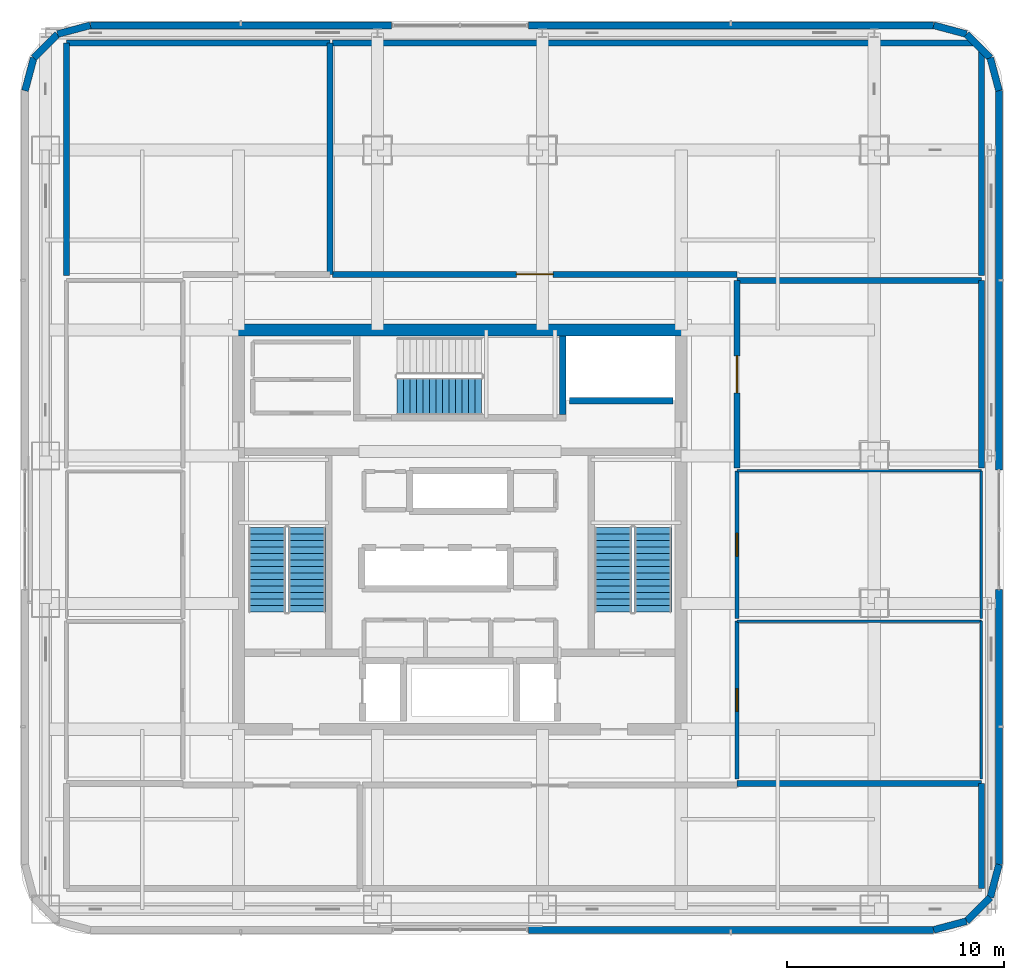
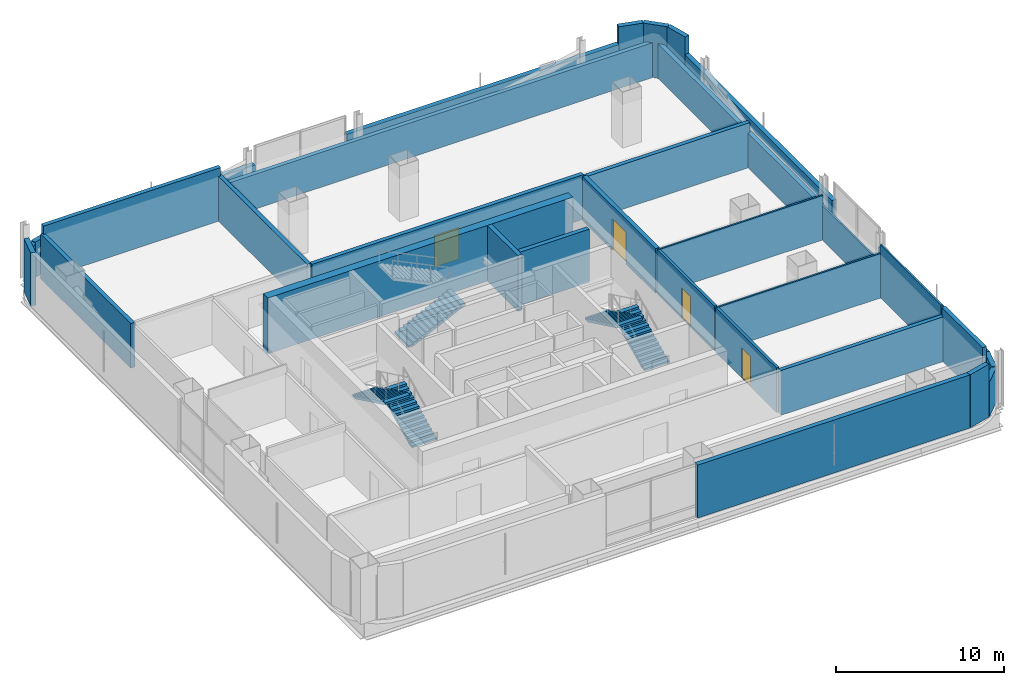
# One storey, part 18 of 30: 34 walls, 5 stair flights, 4 doors, 4 openings, 3 elements without a shape of their own.
"""IFC4 building model written with IfcOpenShell, lengths in metres."""

from ifc_helpers import new_model, si_unit, direction, frame, frame_2d, origin, place, context, subcontext, project, spatial, polyline, rectangle, outline, extrude, material, layer, layer_set, type_object, element, fill, aggregate, save


model = new_model("IFC4")

# Units and contexts
model_context = context("Model", 3, precision=1e-05, world=origin(), true_north=direction((0.0, 1.0)))
body_context = subcontext(model_context, "Body", "Model", "MODEL_VIEW")
ifc_project = project(units=[si_unit("LENGTHUNIT", "METRE"), si_unit("AREAUNIT", "SQUARE_METRE"), si_unit("VOLUMEUNIT", "CUBIC_METRE"), si_unit("PLANEANGLEUNIT", "RADIAN"), si_unit("MASSUNIT", "GRAM", prefix="KILO")], contexts=[model_context])

# Site, building, storey
site_placement = place(None, origin())
site = spatial("IfcSite", under=ifc_project, at=site_placement, CompositionType="ELEMENT")
building_placement = place(site_placement, origin())
building = spatial("IfcBuilding", under=site, at=building_placement, Name="Punatoya Terracotta Tower", CompositionType="ELEMENT")
storey_placement = place(building_placement, frame((0.0, 0.0, 251.39990234375)))
storey = spatial("IfcBuildingStorey", under=building, at=storey_placement, Name="L59", CompositionType="ELEMENT", Elevation=251.39990234375)

# Walls
ifc_material_1 = material(Name="Concrete C40/50", Category="concrete")
ifc_layer_1 = layer(ifc_material_1, 0.280029296875)
ifc_layer_set_1 = layer_set([ifc_layer_1], Name="Concrete C40/50")
wall_type_1 = type_object("IfcWallType", Name="WL-AUD-280", PredefinedType="SOLIDWALL", material=ifc_layer_set_1)
wall_1_placement = place(storey_placement, frame((12.77001953125, -11.7099609375, 0.0), z_axis=(0.0, 0.0, 1.0), x_axis=(1.0, 0.0, 0.0)))
element("IfcWall", 1, at=wall_1_placement, inside=storey, type_object=wall_type_1, Name="L59 Executive Bistro Lounge Partition 28", PredefinedType="SOLIDWALL", context=body_context, shape_type="SweptSolid", body=[
    extrude(rectangle(XDim=11.27001953125, YDim=0.280029296875, at=frame_2d((5.635009765625, 0.0))), origin(), (0.0, 0.0, 1.0), 3.244140625),
])
wall_2_placement = place(storey_placement, frame((24.0400390625, -11.7099609375, 0.0), z_axis=(0.0, 0.0, 1.0), x_axis=(0.0, -1.0, 0.0)))
element("IfcWall", 2, at=wall_2_placement, inside=storey, type_object=wall_type_1, Name="L59 Executive Bistro Lounge Partition 29", PredefinedType="SOLIDWALL", context=body_context, shape_type="SweptSolid", body=[
    extrude(rectangle(XDim=4.830078125, YDim=0.280029296875, at=frame_2d((2.4150390625, 0.0))), origin(), (0.0, 0.0, 1.0), 3.85009765625),
])

# Wall, opening, door
wall_3_placement = place(storey_placement, frame((12.77001953125, 2.83203125, 0.0), z_axis=(0.0, 0.0, 1.0), x_axis=(0.0, 1.0, 0.0)))
wall_3 = element("IfcWall", 3, at=wall_3_placement, inside=storey, type_object=wall_type_1, Name="L59 Open-Plan Waterfront Club Lounge Partition 46", PredefinedType="SOLIDWALL", context=body_context, shape_type="SweptSolid", body=[
    extrude(rectangle(XDim=8.657958984375, YDim=0.280029296875, at=frame_2d((4.3291015625, 0.0))), origin(), (0.0, 0.0, 1.0), 3.244140625),
])
opening_1_placement = place(wall_3_placement, frame((3.47900390625, 0.0, 0.0)))
opening_1 = element("IfcOpeningElement", 4, at=opening_1_placement, cuts=wall_3, Name="Opening FD-D1", PredefinedType="OPENING", context=body_context, shape_type="SweptSolid", body=[
    extrude(rectangle(XDim=1.699951171875, YDim=2.300048828125, at=frame_2d((0.85009765625, 1.14990234375))), frame((0.0, 0.14990234375, 0.0), z_axis=(0.0, -1.0, 0.0), x_axis=(1.0, 0.0, 0.0)), (0.0, 0.0, 1.0), 0.300048828125),
])
ifc_material_2 = material(Name="Timber Teak Veneer Fire Leaf", Category="wood")
door_type_1 = type_object("IfcDoorType", Name="DR-DIN-1700", OperationType="NOTDEFINED", PredefinedType="DOOR", material=ifc_material_2)
door_1_placement = place(opening_1_placement, origin())
door_1 = element("IfcDoor", 5, at=door_1_placement, inside=storey, type_object=door_type_1, Name="L59 Open-Plan Waterfront Club Lounge Fire Door", OperationType="DOUBLE_DOOR_SINGLE_SWING", OverallHeight=2.300048828125, OverallWidth=1.699951171875, PredefinedType="DOOR", context=body_context, shape_type="SweptSolid", body=[
    extrude(rectangle(XDim=1.699951171875, YDim=2.300048828125, at=frame_2d((0.85009765625, 1.14990234375))), frame((0.0, 0.02490234375, 0.0), z_axis=(0.0, -1.0, 0.0), x_axis=(1.0, 0.0, 0.0)), (0.0, 0.0, 1.0), 0.050048828125),
])
fill(opening_1, door_1)

# Walls
wall_4_placement = place(storey_placement, frame((12.77001953125, 11.489990234375, 0.0), z_axis=(0.0, 0.0, 1.0), x_axis=(1.0, 0.0, 0.0)))
element("IfcWall", 6, at=wall_4_placement, inside=storey, type_object=wall_type_1, Name="L59 Open-Plan Waterfront Club Lounge Partition 47", PredefinedType="SOLIDWALL", context=body_context, shape_type="SweptSolid", body=[
    extrude(rectangle(XDim=11.27001953125, YDim=0.280029296875, at=frame_2d((5.635009765625, 0.0))), origin(), (0.0, 0.0, 1.0), 3.244140625),
])
wall_5_placement = place(storey_placement, frame((24.0400390625, 11.489990234375, 0.0), z_axis=(0.0, 0.0, 1.0), x_axis=(0.0, -1.0, 0.0)))
element("IfcWall", 7, at=wall_5_placement, inside=storey, type_object=wall_type_1, Name="L59 Open-Plan Waterfront Club Lounge Partition 48", PredefinedType="SOLIDWALL", context=body_context, shape_type="SweptSolid", body=[
    extrude(rectangle(XDim=8.657958984375, YDim=0.280029296875, at=frame_2d((4.3291015625, 0.0))), origin(), (0.0, 0.0, 1.0), 2.524169921875),
])
wall_6_placement = place(storey_placement, frame((-18.139892578125, 22.43994140625, 0.0), z_axis=(0.0, 0.0, 1.0), x_axis=(1.0, 0.0, 0.0)))
element("IfcWall", 8, at=wall_6_placement, inside=storey, type_object=wall_type_1, Name="L59 Terrace Refreshment Lounge Partition 49", PredefinedType="SOLIDWALL", context=body_context, shape_type="SweptSolid", body=[
    extrude(rectangle(XDim=12.14599609375, YDim=0.280029296875, at=frame_2d((6.072998046875, 0.0))), origin(), (0.0, 0.0, 1.0), 3.85009765625),
])
wall_7_placement = place(storey_placement, frame((-5.993896484375, 22.43994140625, 0.0), z_axis=(0.0, 0.0, 1.0), x_axis=(0.0, -1.0, 0.0)))
element("IfcWall", 9, at=wall_7_placement, inside=storey, type_object=wall_type_1, Name="L59 Terrace Refreshment Lounge Partition 50", PredefinedType="SOLIDWALL", context=body_context, shape_type="SweptSolid", body=[
    extrude(rectangle(XDim=10.669921875, YDim=0.280029296875, at=frame_2d((5.3349609375, 0.0))), origin(), (0.0, 0.0, 1.0), 3.244140625),
])
wall_8_placement = place(storey_placement, frame((-18.139892578125, 11.7099609375, 0.0), z_axis=(0.0, 0.0, 1.0), x_axis=(0.0, 1.0, 0.0)))
element("IfcWall", 10, at=wall_8_placement, inside=storey, type_object=wall_type_1, Name="L59 Terrace Refreshment Lounge Partition 52", PredefinedType="SOLIDWALL", context=body_context, shape_type="SweptSolid", body=[
    extrude(rectangle(XDim=10.72998046875, YDim=0.280029296875, at=frame_2d((5.364990234375, 0.0))), origin(), (0.0, 0.0, 1.0), 3.244140625),
])

# Wall, opening, door
wall_9_placement = place(storey_placement, frame((12.77001953125, 11.77001953125, 0.0), z_axis=(0.0, 0.0, 1.0), x_axis=(-1.0, 0.0, 0.0)))
wall_9 = element("IfcWall", 11, at=wall_9_placement, inside=storey, type_object=wall_type_1, Name="L59 Hospitality Hosting Lounge Partition 53", PredefinedType="SOLIDWALL", context=body_context, shape_type="SweptSolid", body=[
    extrude(rectangle(XDim=18.64404296875, YDim=0.280029296875, at=frame_2d((9.322021484375, 0.0))), origin(), (0.0, 0.0, 1.0), 3.244140625),
])
opening_2_placement = place(wall_9_placement, frame((8.471923828125, 0.0, 0.0)))
opening_2 = element("IfcOpeningElement", 12, at=opening_2_placement, cuts=wall_9, Name="Opening FD-D1", PredefinedType="OPENING", context=body_context, shape_type="SweptSolid", body=[
    extrude(rectangle(XDim=1.699951171875, YDim=2.300048828125, at=frame_2d((0.85009765625, 1.14990234375))), frame((0.0, 0.14990234375, 0.0), z_axis=(0.0, -1.0, 0.0), x_axis=(1.0, 0.0, 0.0)), (0.0, 0.0, 1.0), 0.300048828125),
])
door_2_placement = place(opening_2_placement, origin())
door_2 = element("IfcDoor", 13, at=door_2_placement, inside=storey, type_object=door_type_1, Name="L59 Hospitality Hosting Lounge Fire Door", OperationType="DOUBLE_DOOR_SINGLE_SWING", OverallHeight=2.300048828125, OverallWidth=1.699951171875, PredefinedType="DOOR", context=body_context, shape_type="SweptSolid", body=[
    extrude(rectangle(XDim=1.699951171875, YDim=2.300048828125, at=frame_2d((0.85009765625, 1.14990234375))), frame((0.0, 0.02490234375, 0.0), z_axis=(0.0, -1.0, 0.0), x_axis=(1.0, 0.0, 0.0)), (0.0, 0.0, 1.0), 0.050048828125),
])
fill(opening_2, door_2)

# Walls
wall_10_placement = place(storey_placement, frame((-5.8740234375, 22.43994140625, 0.0), z_axis=(0.0, 0.0, 1.0), x_axis=(1.0, 0.0, 0.0)))
element("IfcWall", 14, at=wall_10_placement, inside=storey, type_object=wall_type_1, Name="L59 Hospitality Hosting Lounge Partition 54", PredefinedType="SOLIDWALL", context=body_context, shape_type="SweptSolid", body=[
    extrude(rectangle(XDim=29.62158203125, YDim=0.280029296875, at=frame_2d((14.810791015625, 0.0))), origin(), (0.0, 0.0, 1.0), 2.524169921875),
])
wall_11_placement = place(storey_placement, frame((24.0400390625, 22.1474609375, 0.0), z_axis=(0.0, 0.0, 1.0), x_axis=(0.0, -1.0, 0.0)))
element("IfcWall", 15, at=wall_11_placement, inside=storey, type_object=wall_type_1, Name="L59 Hospitality Hosting Lounge Partition 55", PredefinedType="SOLIDWALL", context=body_context, shape_type="SweptSolid", body=[
    extrude(rectangle(XDim=10.4375, YDim=0.280029296875, at=frame_2d((5.21875, 0.0))), origin(), (0.0, 0.0, 1.0), 2.524169921875),
])
ifc_material_3 = material(Name="Concrete C50/60", Category="concrete")
ifc_layer_2 = layer(ifc_material_3, 0.550048828125)
ifc_layer_set_2 = layer_set([ifc_layer_2], Name="Concrete C50/60")
wall_type_2 = type_object("IfcWallType", Name="WL-COR-550", PredefinedType="SHEAR", material=ifc_layer_set_2)
wall_12_placement = place(storey_placement, frame((-10.47509765625, 9.199951171875, 0.0), z_axis=(0.0, 0.0, 1.0), x_axis=(1.0, 0.0, 0.0)))
element("IfcWall", 16, at=wall_12_placement, inside=storey, type_object=wall_type_2, Name="L59 Core Shear Wall N", PredefinedType="SHEAR", context=body_context, shape_type="SweptSolid", body=[
    extrude(rectangle(XDim=20.9501953125, YDim=0.550048828125, at=frame_2d((10.47509765625, 0.0))), origin(), (0.0, 0.0, 1.0), 4.050048828125),
])

# Wall, opening, door
ifc_material_4 = material(Name="Gypsum Fireboard + Steel Stud", Category="steel")
ifc_layer_3 = layer(ifc_material_4, 0.179931640625)
ifc_layer_set_3 = layer_set([ifc_layer_3], Name="Gypsum Fireboard + Steel Stud")
wall_type_3 = type_object("IfcWallType", Name="WL-CORR-180", PredefinedType="PARTITIONING", material=ifc_layer_set_3)
wall_13_placement = place(storey_placement, frame((12.77001953125, -11.489990234375, 0.0), z_axis=(0.0, 0.0, 1.0), x_axis=(0.0, 1.0, 0.0)))
wall_13 = element("IfcWall", 17, at=wall_13_placement, inside=storey, type_object=wall_type_3, Name="L59 Visitor Reception Salon Partition 34", PredefinedType="PARTITIONING", context=body_context, shape_type="SweptSolid", body=[
    extrude(rectangle(XDim=7.27197265625, YDim=0.179931640625, at=frame_2d((3.635986328125, 0.0))), origin(), (0.0, 0.0, 1.0), 3.244140625),
])
opening_3_placement = place(wall_13_placement, frame((3.111083984375, 0.0, 0.0)))
opening_3 = element("IfcOpeningElement", 18, at=opening_3_placement, cuts=wall_13, Name="Opening OD-01", PredefinedType="OPENING", context=body_context, shape_type="SweptSolid", body=[
    extrude(rectangle(XDim=1.050048828125, YDim=2.199951171875, at=frame_2d((0.52490234375, 1.10009765625))), frame((0.0, 0.099853515625, 0.0), z_axis=(0.0, -1.0, 0.0), x_axis=(1.0, 0.0, 0.0)), (0.0, 0.0, 1.0), 0.199951171875),
])
ifc_material_5 = material(Name="Bengal Teak Solid-Core Leaf")
door_type_2 = type_object("IfcDoorType", Name="DR-OFF-1050", OperationType="NOTDEFINED", PredefinedType="DOOR", material=ifc_material_5)
door_3_placement = place(opening_3_placement, origin())
door_3 = element("IfcDoor", 19, at=door_3_placement, inside=storey, type_object=door_type_2, Name="L59 Visitor Reception Salon Door", OperationType="SINGLE_SWING_LEFT", OverallHeight=2.199951171875, OverallWidth=1.050048828125, PredefinedType="DOOR", context=body_context, shape_type="SweptSolid", body=[
    extrude(rectangle(XDim=1.050048828125, YDim=2.199951171875, at=frame_2d((0.52490234375, 1.10009765625))), frame((0.0, 0.02490234375, 0.0), z_axis=(0.0, -1.0, 0.0), x_axis=(1.0, 0.0, 0.0)), (0.0, 0.0, 1.0), 0.050048828125),
])
fill(opening_3, door_3)

wall_14_placement = place(storey_placement, frame((12.77001953125, -4.097900390625, 0.0), z_axis=(0.0, 0.0, 1.0), x_axis=(0.0, 1.0, 0.0)))
wall_14 = element("IfcWall", 20, at=wall_14_placement, inside=storey, type_object=wall_type_3, Name="L59 Open-Plan Wellness Relaxation Lounge Partition 40", PredefinedType="PARTITIONING", context=body_context, shape_type="SweptSolid", body=[
    extrude(rectangle(XDim=6.809814453125, YDim=0.179931640625, at=frame_2d((3.40478515625, 0.0))), origin(), (0.0, 0.0, 1.0), 3.244140625),
])
opening_4_placement = place(wall_14_placement, frame((2.8798828125, 0.0, 0.0)))
opening_4 = element("IfcOpeningElement", 21, at=opening_4_placement, cuts=wall_14, Name="Opening OD-01", PredefinedType="OPENING", context=body_context, shape_type="SweptSolid", body=[
    extrude(rectangle(XDim=1.050048828125, YDim=2.199951171875, at=frame_2d((0.52490234375, 1.10009765625))), frame((0.0, 0.099853515625, 0.0), z_axis=(0.0, -1.0, 0.0), x_axis=(1.0, 0.0, 0.0)), (0.0, 0.0, 1.0), 0.199951171875),
])
door_4_placement = place(opening_4_placement, origin())
door_4 = element("IfcDoor", 22, at=door_4_placement, inside=storey, type_object=door_type_2, Name="L59 Open-Plan Wellness Relaxation Lounge Door", OperationType="SINGLE_SWING_LEFT", OverallHeight=2.199951171875, OverallWidth=1.050048828125, PredefinedType="DOOR", context=body_context, shape_type="SweptSolid", body=[
    extrude(rectangle(XDim=1.050048828125, YDim=2.199951171875, at=frame_2d((0.52490234375, 1.10009765625))), frame((0.0, 0.02490234375, 0.0), z_axis=(0.0, -1.0, 0.0), x_axis=(1.0, 0.0, 0.0)), (0.0, 0.0, 1.0), 0.050048828125),
])
fill(opening_4, door_4)

# Walls
ifc_material_6 = material(Name="Precast concrete C40/50", Category="concrete")
ifc_layer_4 = layer(ifc_material_6, 0.320068359375)
ifc_layer_set_4 = layer_set([ifc_layer_4], Name="Precast concrete C40/50")
wall_type_4 = type_object("IfcWallType", Name="WL-EXT-320", PredefinedType="SOLIDWALL", material=ifc_layer_set_4)
wall_15_placement = place(storey_placement, frame((3.14990234375, -18.449951171875, 0.0), z_axis=(0.0, 0.0, 1.0), x_axis=(1.0, 0.0, 0.0)))
element("IfcWall", 23, at=wall_15_placement, inside=storey, type_object=wall_type_4, Name="L59 Terracotta Braced Facade Wall S2", PredefinedType="SOLIDWALL", context=body_context, shape_type="SweptSolid", body=[
    extrude(rectangle(XDim=18.68701171875, YDim=0.320068359375, at=frame_2d((9.343505859375, 0.0))), origin(), (0.0, 0.0, 1.0), 3.85009765625),
])
wall_16_placement = place(storey_placement, frame((21.8369140625, -18.449951171875, 0.0), z_axis=(0.0, 0.0, 1.0), x_axis=(0.966224582397, 0.257701486942, 0.0)))
element("IfcWall", 24, at=wall_16_placement, inside=storey, type_object=wall_type_4, Name="L59 Rounded Terracotta Corner Pier 02", PredefinedType="SOLIDWALL", context=body_context, shape_type="SweptSolid", body=[
    extrude(rectangle(XDim=1.565185546875, YDim=0.320068359375, at=frame_2d((0.78271484375, 0.0))), origin(), (0.0, 0.0, 1.0), 3.85009765625),
])
wall_17_placement = place(storey_placement, frame((23.34912109375, -18.046630859375, 0.0), z_axis=(0.0, 0.0, 1.0), x_axis=(0.707106781187, 0.707106781187, 0.0)))
element("IfcWall", 25, at=wall_17_placement, inside=storey, type_object=wall_type_4, Name="L59 Rounded Terracotta Corner Pier 03", PredefinedType="SOLIDWALL", context=body_context, shape_type="SweptSolid", body=[
    extrude(rectangle(XDim=1.552001953125, YDim=0.320068359375, at=frame_2d((0.77587890625, 0.0))), origin(), (0.0, 0.0, 1.0), 2.524169921875),
])
wall_18_placement = place(storey_placement, frame((24.446533203125, -16.94921875, 0.0), z_axis=(0.0, 0.0, 1.0), x_axis=(0.257847112249, 0.966185730957, 0.0)))
element("IfcWall", 26, at=wall_18_placement, inside=storey, type_object=wall_type_4, Name="L59 Rounded Terracotta Corner Pier 04", PredefinedType="SOLIDWALL", context=body_context, shape_type="SweptSolid", body=[
    extrude(rectangle(XDim=1.565185546875, YDim=0.320068359375, at=frame_2d((0.78271484375, 0.0))), origin(), (0.0, 0.0, 1.0), 2.564208984375),
])
wall_19_placement = place(storey_placement, frame((24.85009765625, -15.43701171875, 0.0), z_axis=(0.0, 0.0, 1.0), x_axis=(0.0, 1.0, 0.0)))
element("IfcWall", 27, at=wall_19_placement, inside=storey, type_object=wall_type_4, Name="L59 Terracotta Braced Facade Wall E1", PredefinedType="SOLIDWALL", context=body_context, shape_type="SweptSolid", body=[
    extrude(rectangle(XDim=12.68701171875, YDim=0.320068359375, at=frame_2d((6.343505859375, 0.0))), origin(), (0.0, 0.0, 1.0), 2.564208984375),
])
wall_20_placement = place(storey_placement, frame((24.85009765625, 2.75, 0.0), z_axis=(0.0, 0.0, 1.0), x_axis=(0.0, 1.0, 0.0)))
element("IfcWall", 28, at=wall_20_placement, inside=storey, type_object=wall_type_4, Name="L59 Terracotta Braced Facade Wall E2", PredefinedType="SOLIDWALL", context=body_context, shape_type="SweptSolid", body=[
    extrude(rectangle(XDim=17.48681640625, YDim=0.320068359375, at=frame_2d((8.743408203125, 0.0))), origin(), (0.0, 0.0, 1.0), 2.564208984375),
])
wall_21_placement = place(storey_placement, frame((24.85009765625, 20.23681640625, 0.0), z_axis=(0.0, 0.0, 1.0), x_axis=(-0.257847112249, 0.966185730957, 0.0)))
element("IfcWall", 29, at=wall_21_placement, inside=storey, type_object=wall_type_4, Name="L59 Rounded Terracotta Corner Pier 06", PredefinedType="SOLIDWALL", context=body_context, shape_type="SweptSolid", body=[
    extrude(rectangle(XDim=1.565185546875, YDim=0.320068359375, at=frame_2d((0.78271484375, 0.0))), origin(), (0.0, 0.0, 1.0), 3.85009765625),
])
wall_22_placement = place(storey_placement, frame((24.446533203125, 21.7490234375, 0.0), z_axis=(0.0, 0.0, 1.0), x_axis=(-0.707028130747, 0.707185422879, 0.0)))
element("IfcWall", 30, at=wall_22_placement, inside=storey, type_object=wall_type_4, Name="L59 Rounded Terracotta Corner Pier 07", PredefinedType="SOLIDWALL", context=body_context, shape_type="SweptSolid", body=[
    extrude(rectangle(XDim=1.55224609375, YDim=0.320068359375, at=frame_2d((0.776123046875, 0.0))), origin(), (0.0, 0.0, 1.0), 3.85009765625),
])
wall_23_placement = place(storey_placement, frame((23.34912109375, 22.8466796875, 0.0), z_axis=(0.0, 0.0, 1.0), x_axis=(-0.966224582397, 0.257701486942, 0.0)))
element("IfcWall", 31, at=wall_23_placement, inside=storey, type_object=wall_type_4, Name="L59 Rounded Terracotta Corner Pier 08", PredefinedType="SOLIDWALL", context=body_context, shape_type="SweptSolid", body=[
    extrude(rectangle(XDim=1.565185546875, YDim=0.320068359375, at=frame_2d((0.78271484375, 0.0))), origin(), (0.0, 0.0, 1.0), 3.85009765625),
])
wall_24_placement = place(storey_placement, frame((21.8369140625, 23.25, 0.0), z_axis=(0.0, 0.0, 1.0), x_axis=(-1.0, 0.0, 0.0)))
element("IfcWall", 32, at=wall_24_placement, inside=storey, type_object=wall_type_4, Name="L59 Terracotta Braced Facade Wall N1", PredefinedType="SOLIDWALL", context=body_context, shape_type="SweptSolid", body=[
    extrude(rectangle(XDim=18.68701171875, YDim=0.320068359375, at=frame_2d((9.343505859375, 0.0))), origin(), (0.0, 0.0, 1.0), 2.564208984375),
])
wall_25_placement = place(storey_placement, frame((-3.14990234375, 23.25, 0.0), z_axis=(0.0, 0.0, 1.0), x_axis=(-1.0, 0.0, 0.0)))
element("IfcWall", 33, at=wall_25_placement, inside=storey, type_object=wall_type_4, Name="L59 Terracotta Braced Facade Wall N2", PredefinedType="SOLIDWALL", context=body_context, shape_type="SweptSolid", body=[
    extrude(rectangle(XDim=13.886962890625, YDim=0.320068359375, at=frame_2d((6.943359375, 0.0))), origin(), (0.0, 0.0, 1.0), 2.564208984375),
])
wall_26_placement = place(storey_placement, frame((-17.036865234375, 23.25, 0.0), z_axis=(0.0, 0.0, 1.0), x_axis=(-0.966224582397, -0.257701486942, 0.0)))
element("IfcWall", 34, at=wall_26_placement, inside=storey, type_object=wall_type_4, Name="L59 Rounded Terracotta Corner Pier 10", PredefinedType="SOLIDWALL", context=body_context, shape_type="SweptSolid", body=[
    extrude(rectangle(XDim=1.565185546875, YDim=0.320068359375, at=frame_2d((0.78271484375, 0.0))), origin(), (0.0, 0.0, 1.0), 2.564208984375),
])
wall_27_placement = place(storey_placement, frame((-18.549072265625, 22.8466796875, 0.0), z_axis=(0.0, 0.0, 1.0), x_axis=(-0.707028130747, -0.707185422879, 0.0)))
element("IfcWall", 35, at=wall_27_placement, inside=storey, type_object=wall_type_4, Name="L59 Rounded Terracotta Corner Pier 11", PredefinedType="SOLIDWALL", context=body_context, shape_type="SweptSolid", body=[
    extrude(rectangle(XDim=1.55224609375, YDim=0.320068359375, at=frame_2d((0.776123046875, 0.0))), origin(), (0.0, 0.0, 1.0), 2.524169921875),
])
wall_28_placement = place(storey_placement, frame((-19.646484375, 21.7490234375, 0.0), z_axis=(0.0, 0.0, 1.0), x_axis=(-0.257847112249, -0.966185730957, 0.0)))
element("IfcWall", 36, at=wall_28_placement, inside=storey, type_object=wall_type_4, Name="L59 Rounded Terracotta Corner Pier 12", PredefinedType="SOLIDWALL", context=body_context, shape_type="SweptSolid", body=[
    extrude(rectangle(XDim=1.565185546875, YDim=0.320068359375, at=frame_2d((0.78271484375, 0.0))), origin(), (0.0, 0.0, 1.0), 3.85009765625),
])
ifc_material_7 = material(Name="Gypsum Partition + Steel Stud", Category="steel")
ifc_layer_5 = layer(ifc_material_7, 0.1201171875)
ifc_layer_set_5 = layer_set([ifc_layer_5], Name="Gypsum Partition + Steel Stud")
wall_type_5 = type_object("IfcWallType", Name="WL-OFF-120", PredefinedType="PARTITIONING", material=ifc_layer_set_5)
wall_29_placement = place(storey_placement, frame((12.77001953125, -4.218017578125, 0.0), z_axis=(0.0, 0.0, 1.0), x_axis=(1.0, 0.0, 0.0)))
element("IfcWall", 37, at=wall_29_placement, inside=storey, type_object=wall_type_5, Name="L59 Visitor Reception Salon Partition 35", PredefinedType="PARTITIONING", context=body_context, shape_type="SweptSolid", body=[
    extrude(rectangle(XDim=11.27001953125, YDim=0.1201171875, at=frame_2d((5.635009765625, 0.0))), origin(), (0.0, 0.0, 1.0), 3.244140625),
])
wall_30_placement = place(storey_placement, frame((24.0400390625, -4.218017578125, 0.0), z_axis=(0.0, 0.0, 1.0), x_axis=(0.0, -1.0, 0.0)))
element("IfcWall", 38, at=wall_30_placement, inside=storey, type_object=wall_type_5, Name="L59 Visitor Reception Salon Partition 36", PredefinedType="PARTITIONING", context=body_context, shape_type="SweptSolid", body=[
    extrude(rectangle(XDim=7.27197265625, YDim=0.1201171875, at=frame_2d((3.635986328125, 0.0))), origin(), (0.0, 0.0, 1.0), 3.85009765625),
])
wall_31_placement = place(storey_placement, frame((12.77001953125, 2.7119140625, 0.0), z_axis=(0.0, 0.0, 1.0), x_axis=(1.0, 0.0, 0.0)))
element("IfcWall", 39, at=wall_31_placement, inside=storey, type_object=wall_type_5, Name="L59 Open-Plan Wellness Relaxation Lounge Partition 41", PredefinedType="PARTITIONING", context=body_context, shape_type="SweptSolid", body=[
    extrude(rectangle(XDim=11.27001953125, YDim=0.1201171875, at=frame_2d((5.635009765625, 0.0))), origin(), (0.0, 0.0, 1.0), 3.244140625),
])
wall_32_placement = place(storey_placement, frame((24.0400390625, 2.7119140625, 0.0), z_axis=(0.0, 0.0, 1.0), x_axis=(0.0, -1.0, 0.0)))
element("IfcWall", 40, at=wall_32_placement, inside=storey, type_object=wall_type_5, Name="L59 Open-Plan Wellness Relaxation Lounge Partition 42", PredefinedType="PARTITIONING", context=body_context, shape_type="SweptSolid", body=[
    extrude(rectangle(XDim=6.809814453125, YDim=0.1201171875, at=frame_2d((3.40478515625, 0.0))), origin(), (0.0, 0.0, 1.0), 2.524169921875),
])
ifc_layer_6 = layer(ifc_material_1, 0.300048828125)
ifc_layer_set_6 = layer_set([ifc_layer_6], Name="Concrete C40/50")
wall_type_6 = type_object("IfcWallType", Name="WL-SHF-300", PredefinedType="SOLIDWALL", material=ifc_layer_set_6)
wall_33_placement = place(storey_placement, frame((4.75, 8.925048828125, 0.0), z_axis=(0.0, 0.0, 1.0), x_axis=(0.0, -1.0, 0.0)))
element("IfcWall", 41, at=wall_33_placement, inside=storey, type_object=wall_type_6, Name="L59 Structural Stair Shaft Wall SW-ST3-E", PredefinedType="SOLIDWALL", context=body_context, shape_type="SweptSolid", body=[
    extrude(rectangle(XDim=3.625, YDim=0.300048828125, at=frame_2d((1.8125, 0.0))), origin(), (0.0, 0.0, 1.0), 4.050048828125),
])
wall_34_placement = place(storey_placement, frame((5.06005859375, 5.949951171875, 0.0), z_axis=(0.0, 0.0, 1.0), x_axis=(1.0, 0.0, 0.0)))
element("IfcWall", 42, at=wall_34_placement, inside=storey, type_object=wall_type_6, Name="L59 Shuttle SL-2 South Hoistway Wall", PredefinedType="SOLIDWALL", context=body_context, shape_type="SweptSolid", body=[
    extrude(rectangle(XDim=4.760009765625, YDim=0.300048828125, at=frame_2d((2.3798828125, 0.0))), origin(), (0.0, 0.0, 1.0), 3.85009765625),
])

# Stair, stair flights
stair_type_1 = type_object("IfcStairType", Name="STR-CORE-1550", PredefinedType="HALF_TURN_STAIR", material=ifc_material_1)
stair_1_placement = place(storey_placement, origin())
stair_1 = element("IfcStair", 43, at=stair_1_placement, inside=storey, type_object=stair_type_1, Name="L59 Protected Core Exit Stair ST-1", PredefinedType="HALF_TURN_STAIR")
stair_flight_type_1 = type_object("IfcStairFlightType", Name="SFL-CORE-1550", PredefinedType="STRAIGHT", material=ifc_material_1)
stair_flight_1_placement = place(storey_placement, frame((-7.050048828125, -3.800048828125, 0.0), z_axis=(0.0, 0.0, 1.0), x_axis=(0.0, 1.0, 0.0)))
stair_flight_1 = element("IfcStairFlight", 44, at=stair_flight_1_placement, type_object=stair_flight_type_1, Name="ST-1 flight 1", NumberOfRisers=14, NumberOfTreads=13, PredefinedType="STRAIGHT", RiserHeight=0.144642857, TreadLength=0.3, context=body_context, shape_type="SweptSolid", body=[
    extrude(outline(polyline([(0.0, 0.0), (0.0, 0.14453125), (0.300048828125, 0.14453125), (0.300048828125, 0.289306640625), (0.60009765625, 0.289306640625), (0.60009765625, 0.433837890625), (0.89990234375, 0.433837890625), (0.89990234375, 0.57861328125), (1.199951171875, 0.57861328125), (1.199951171875, 0.72314453125), (1.5, 0.72314453125), (1.5, 0.867919921875), (1.800048828125, 0.867919921875), (1.800048828125, 1.012451171875), (2.10009765625, 1.012451171875), (2.10009765625, 1.1572265625), (2.39990234375, 1.1572265625), (2.39990234375, 1.3017578125), (2.699951171875, 1.3017578125), (2.699951171875, 1.446533203125), (3.0, 1.446533203125), (3.0, 1.591064453125), (3.300048828125, 1.591064453125), (3.300048828125, 1.735595703125), (3.60009765625, 1.735595703125), (3.60009765625, 1.88037109375), (3.89990234375, 1.88037109375), (3.89990234375, 2.02490234375), (3.89990234375, 1.7138671875), (0.34521484375, 0.0), (0.0, 0.0)])), frame((0.0, 0.85009765625, 0.0), z_axis=(0.0, -1.0, 0.0), x_axis=(1.0, 0.0, 0.0)), (0.0, 0.0, 1.0), 1.699951171875),
])
stair_flight_2_placement = place(storey_placement, frame((-8.89990234375, 0.10009765625, 2.025146484375), z_axis=(0.0, 0.0, 1.0), x_axis=(0.0, -1.0, 0.0)))
stair_flight_2 = element("IfcStairFlight", 45, at=stair_flight_2_placement, type_object=stair_flight_type_1, Name="ST-1 flight 2", NumberOfRisers=14, NumberOfTreads=13, PredefinedType="STRAIGHT", RiserHeight=0.144642857, TreadLength=0.3, context=body_context, shape_type="SweptSolid", body=[
    extrude(outline(polyline([(0.0, 0.0), (0.0, 0.14453125), (0.300048828125, 0.14453125), (0.300048828125, 0.289306640625), (0.60009765625, 0.289306640625), (0.60009765625, 0.433837890625), (0.89990234375, 0.433837890625), (0.89990234375, 0.57861328125), (1.199951171875, 0.57861328125), (1.199951171875, 0.72314453125), (1.5, 0.72314453125), (1.5, 0.867919921875), (1.800048828125, 0.867919921875), (1.800048828125, 1.012451171875), (2.10009765625, 1.012451171875), (2.10009765625, 1.1572265625), (2.39990234375, 1.1572265625), (2.39990234375, 1.3017578125), (2.699951171875, 1.3017578125), (2.699951171875, 1.446533203125), (3.0, 1.446533203125), (3.0, 1.591064453125), (3.300048828125, 1.591064453125), (3.300048828125, 1.735595703125), (3.60009765625, 1.735595703125), (3.60009765625, 1.88037109375), (3.89990234375, 1.88037109375), (3.89990234375, 2.02490234375), (3.89990234375, 1.7138671875), (0.34521484375, 0.0), (0.0, 0.0)])), frame((0.0, 0.85009765625, 0.0), z_axis=(0.0, -1.0, 0.0), x_axis=(1.0, 0.0, 0.0)), (0.0, 0.0, 1.0), 1.699951171875),
])
aggregate(stair_1, [stair_flight_1, stair_flight_2])

stair_type_2 = type_object("IfcStairType", Name="STR-LOB-1650", PredefinedType="HALF_TURN_STAIR", material=ifc_material_1)
stair_2_placement = place(storey_placement, origin())
stair_2 = element("IfcStair", 46, at=stair_2_placement, inside=storey, type_object=stair_type_2, Name="L59 Protected Core Exit Stair ST-2", PredefinedType="HALF_TURN_STAIR")
stair_flight_type_2 = type_object("IfcStairFlightType", Name="SFL-LOB-1650", PredefinedType="STRAIGHT", material=ifc_material_1)
stair_flight_3_placement = place(storey_placement, frame((8.89990234375, -3.800048828125, 0.0), z_axis=(0.0, 0.0, 1.0), x_axis=(0.0, 1.0, 0.0)))
stair_flight_3 = element("IfcStairFlight", 47, at=stair_flight_3_placement, type_object=stair_flight_type_2, Name="ST-2 flight 1", NumberOfRisers=14, NumberOfTreads=13, PredefinedType="STRAIGHT", RiserHeight=0.144642857, TreadLength=0.3, context=body_context, shape_type="SweptSolid", body=[
    extrude(outline(polyline([(0.0, 0.0), (0.0, 0.14453125), (0.300048828125, 0.14453125), (0.300048828125, 0.289306640625), (0.60009765625, 0.289306640625), (0.60009765625, 0.433837890625), (0.89990234375, 0.433837890625), (0.89990234375, 0.57861328125), (1.199951171875, 0.57861328125), (1.199951171875, 0.72314453125), (1.5, 0.72314453125), (1.5, 0.867919921875), (1.800048828125, 0.867919921875), (1.800048828125, 1.012451171875), (2.10009765625, 1.012451171875), (2.10009765625, 1.1572265625), (2.39990234375, 1.1572265625), (2.39990234375, 1.3017578125), (2.699951171875, 1.3017578125), (2.699951171875, 1.446533203125), (3.0, 1.446533203125), (3.0, 1.591064453125), (3.300048828125, 1.591064453125), (3.300048828125, 1.735595703125), (3.60009765625, 1.735595703125), (3.60009765625, 1.88037109375), (3.89990234375, 1.88037109375), (3.89990234375, 2.02490234375), (3.89990234375, 1.7138671875), (0.34521484375, 0.0), (0.0, 0.0)])), frame((0.0, 0.85009765625, 0.0), z_axis=(0.0, -1.0, 0.0), x_axis=(1.0, 0.0, 0.0)), (0.0, 0.0, 1.0), 1.699951171875),
])
stair_flight_4_placement = place(storey_placement, frame((7.050048828125, 0.10009765625, 2.025146484375), z_axis=(0.0, 0.0, 1.0), x_axis=(0.0, -1.0, 0.0)))
stair_flight_4 = element("IfcStairFlight", 48, at=stair_flight_4_placement, type_object=stair_flight_type_2, Name="ST-2 flight 2", NumberOfRisers=14, NumberOfTreads=13, PredefinedType="STRAIGHT", RiserHeight=0.144642857, TreadLength=0.3, context=body_context, shape_type="SweptSolid", body=[
    extrude(outline(polyline([(0.0, 0.0), (0.0, 0.14453125), (0.300048828125, 0.14453125), (0.300048828125, 0.289306640625), (0.60009765625, 0.289306640625), (0.60009765625, 0.433837890625), (0.89990234375, 0.433837890625), (0.89990234375, 0.57861328125), (1.199951171875, 0.57861328125), (1.199951171875, 0.72314453125), (1.5, 0.72314453125), (1.5, 0.867919921875), (1.800048828125, 0.867919921875), (1.800048828125, 1.012451171875), (2.10009765625, 1.012451171875), (2.10009765625, 1.1572265625), (2.39990234375, 1.1572265625), (2.39990234375, 1.3017578125), (2.699951171875, 1.3017578125), (2.699951171875, 1.446533203125), (3.0, 1.446533203125), (3.0, 1.591064453125), (3.300048828125, 1.591064453125), (3.300048828125, 1.735595703125), (3.60009765625, 1.735595703125), (3.60009765625, 1.88037109375), (3.89990234375, 1.88037109375), (3.89990234375, 2.02490234375), (3.89990234375, 1.7138671875), (0.34521484375, 0.0), (0.0, 0.0)])), frame((0.0, 0.85009765625, 0.0), z_axis=(0.0, -1.0, 0.0), x_axis=(1.0, 0.0, 0.0)), (0.0, 0.0, 1.0), 1.699951171875),
])
aggregate(stair_2, [stair_flight_3, stair_flight_4])

# Stair, stair flight
stair_type_3 = type_object("IfcStairType", Name="STR-TER-1450", PredefinedType="HALF_TURN_STAIR", material=ifc_material_1)
stair_3_placement = place(storey_placement, origin())
stair_3 = element("IfcStair", 49, at=stair_3_placement, inside=storey, type_object=stair_type_3, Name="L59 Protected Core Exit Stair ST-3", PredefinedType="HALF_TURN_STAIR")
stair_flight_type_3 = type_object("IfcStairFlightType", Name="SFL-TER-1450", PredefinedType="STRAIGHT", material=ifc_material_1)
stair_flight_5_placement = place(storey_placement, frame((-2.89990234375, 6.14990234375, 0.0), z_axis=(0.0, 0.0, 1.0), x_axis=(1.0, 0.0, 0.0)))
stair_flight_5 = element("IfcStairFlight", 50, at=stair_flight_5_placement, type_object=stair_flight_type_3, Name="ST-3 flight 1", NumberOfRisers=14, NumberOfTreads=13, PredefinedType="STRAIGHT", RiserHeight=0.144642857, TreadLength=0.3, context=body_context, shape_type="SweptSolid", body=[
    extrude(outline(polyline([(0.0, 0.0), (0.0, 0.14453125), (0.300048828125, 0.14453125), (0.300048828125, 0.289306640625), (0.60009765625, 0.289306640625), (0.60009765625, 0.433837890625), (0.89990234375, 0.433837890625), (0.89990234375, 0.57861328125), (1.199951171875, 0.57861328125), (1.199951171875, 0.72314453125), (1.5, 0.72314453125), (1.5, 0.867919921875), (1.800048828125, 0.867919921875), (1.800048828125, 1.012451171875), (2.10009765625, 1.012451171875), (2.10009765625, 1.1572265625), (2.39990234375, 1.1572265625), (2.39990234375, 1.3017578125), (2.699951171875, 1.3017578125), (2.699951171875, 1.446533203125), (3.0, 1.446533203125), (3.0, 1.591064453125), (3.300048828125, 1.591064453125), (3.300048828125, 1.735595703125), (3.60009765625, 1.735595703125), (3.60009765625, 1.88037109375), (3.89990234375, 1.88037109375), (3.89990234375, 2.02490234375), (3.89990234375, 1.7138671875), (0.34521484375, 0.0), (0.0, 0.0)])), frame((0.0, 0.85009765625, 0.0), z_axis=(0.0, -1.0, 0.0), x_axis=(1.0, 0.0, 0.0)), (0.0, 0.0, 1.0), 1.699951171875),
])
aggregate(stair_3, [stair_flight_5])

save(model, "model.ifc")
